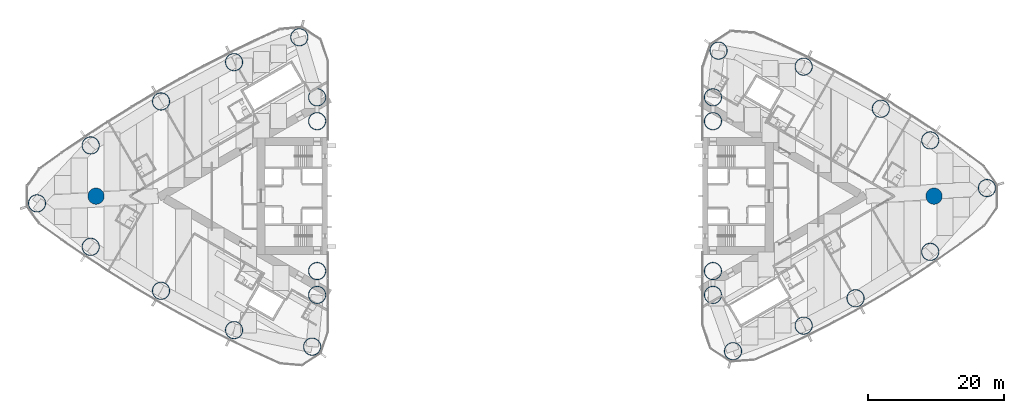
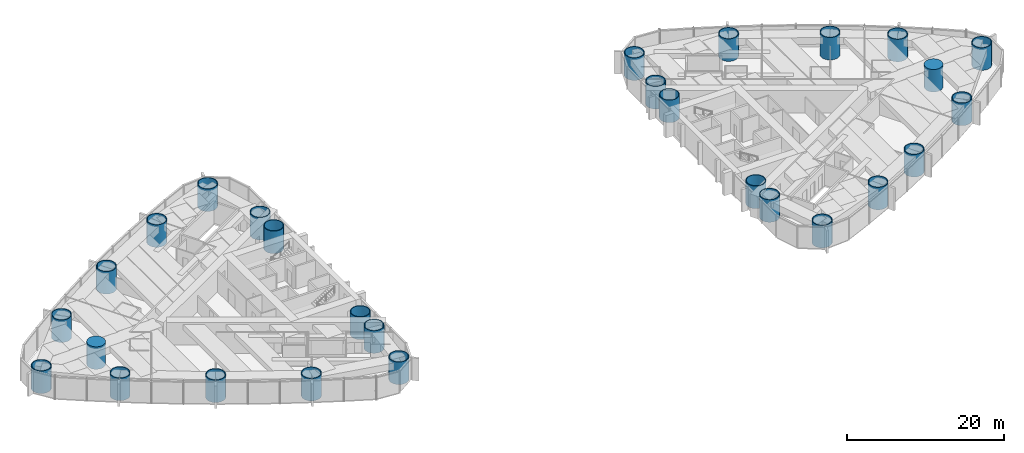
# One storey, part 1 of 19: 28 columns.
"""IFC4 building model written with IfcOpenShell, lengths in metres."""

from ifc_helpers import new_model, si_unit, direction, frame, origin, origin_2d, place, context, subcontext, project, spatial, circle, hollow_circle, extrude, material, material_profile, profile_set, type_object, element, save


model = new_model("IFC4")

# Units and contexts
model_context = context("Model", 3, precision=1e-05, world=origin(), true_north=direction((0.0, 1.0)))
body_context = subcontext(model_context, "Body", "Model", "MODEL_VIEW")
ifc_project = project(units=[si_unit("LENGTHUNIT", "METRE"), si_unit("AREAUNIT", "SQUARE_METRE"), si_unit("VOLUMEUNIT", "CUBIC_METRE"), si_unit("PLANEANGLEUNIT", "RADIAN"), si_unit("MASSUNIT", "GRAM", prefix="KILO")], contexts=[model_context])

# Site, building, storey
site_placement = place(None, origin())
site = spatial("IfcSite", under=ifc_project, at=site_placement, CompositionType="ELEMENT")
building_placement = place(site_placement, origin())
building = spatial("IfcBuilding", under=site, at=building_placement, Name="Lancet Gate Hotel", CompositionType="ELEMENT")
storey_placement = place(building_placement, frame((0.0, 0.0, 132.60009765625)))
storey = spatial("IfcBuildingStorey", under=building, at=storey_placement, Name="L35", CompositionType="ELEMENT", Elevation=132.60009765625)

# Columns
ifc_material_1 = material(Name="Concrete C80/95", Category="concrete")
ifc_material_profile_1 = material_profile(ifc_material_1, circle(Radius=1.199951171875, at=origin_2d()), Name="RC D2400")
ifc_profile_set_1 = profile_set([ifc_material_profile_1], Name="Concrete C80/95")
column_type_1 = type_object("IfcColumnType", Name="Apex column RC D2400", PredefinedType="COLUMN", material=ifc_profile_set_1)
for number, where, z_axis, x_axis, name in (
    (1, (-61.5, 0.0, 0.0), (0.0, 0.0, 1.0), (1.0, 0.0, 0.0), "T1 column AX L35"),
    (2, (61.5, 0.0, 0.0), (0.0, 0.0, 1.0), (1.0, 0.0, 0.0), "T2 column AX L35"),
):
    element("IfcColumn", number, at=place(storey_placement, frame(where, z_axis=z_axis, x_axis=x_axis)), inside=storey, type_object=column_type_1, Name=name, PredefinedType="COLUMN", context=body_context, shape_type="SweptSolid", body=[
        extrude(circle(Radius=1.199951171875, at=origin_2d()), origin(), (0.0, 0.0, 1.0), 3.5),
    ])
ifc_material_2 = material(Name="Composite filled tube, grade 460 plate, grade 80/95 fill", Category="composite")
ifc_material_profile_2 = material_profile(ifc_material_2, hollow_circle(Radius=1.300048828125, WallThickness=0.10009765625, at=origin_2d()), Name="CHS 2600x100")
ifc_profile_set_2 = profile_set([ifc_material_profile_2], Name="Composite filled tube, grade 460 plate, grade 80/95 fill")
column_type_2 = type_object("IfcColumnType", Name="Apex corner column CFT CHS 2600x100", PredefinedType="COLUMN", material=ifc_profile_set_2)
for number, where, z_axis, x_axis, name in (
    (3, (-70.16796875, -1.06005859375, 0.0), (0.0, 0.0, 1.0), (1.0, 0.0, 0.0), "T1 column CA L35"),
    (4, (69.268798828125, 1.1865234375, 0.0), (0.0, 0.0, 1.0), (1.0, 0.0, 0.0), "T2 column CA L35"),
):
    element("IfcColumn", number, at=place(storey_placement, frame(where, z_axis=z_axis, x_axis=x_axis)), inside=storey, type_object=column_type_2, Name=name, PredefinedType="COLUMN", context=body_context, shape_type="SweptSolid", body=[
        extrude(hollow_circle(Radius=1.300048828125, WallThickness=0.10009765625, at=origin_2d()), origin(), (0.0, 0.0, 1.0), 3.5),
    ])
ifc_material_3 = material(Name="Composite filled tube, grade 460 plate, grade 80/95 fill", Category="composite")
ifc_material_profile_3 = material_profile(ifc_material_3, hollow_circle(Radius=1.300048828125, WallThickness=0.10009765625, at=origin_2d()), Name="CHS 2600x100")
ifc_profile_set_3 = profile_set([ifc_material_profile_3], Name="Composite filled tube, grade 460 plate, grade 80/95 fill")
column_type_3 = type_object("IfcColumnType", Name="Perimeter column CFT CHS 2600x100", PredefinedType="COLUMN", material=ifc_profile_set_3)
for number, where, z_axis, x_axis, name in (
    (5, (-29.781005859375, -22.0947265625, 0.0), (0.0, 0.0, 1.0), (1.0, 0.0, 0.0), "T1 column CN L35"),
    (6, (-31.66455078125, 23.318359375, 0.0), (0.0, 0.0, 1.0), (1.0, 0.0, 0.0), "T1 column CS L35"),
    (7, (-29.050048828125, -11.0, 0.0), (0.0, 0.0, 1.0), (1.0, 0.0, 0.0), "T1 column IN L35"),
    (8, (-29.050048828125, 11.0, 0.0), (0.0, 0.0, 1.0), (1.0, 0.0, 0.0), "T1 column IS L35"),
    (9, (-29.050048828125, 14.5, 0.0), (0.0, 0.0, 1.0), (1.0, 0.0, 0.0), "T1 column IT L35"),
    (10, (-29.050048828125, -14.5, 0.0), (0.0, 0.0, 1.0), (1.0, 0.0, 0.0), "T1 column JT L35"),
    (11, (-62.28662109375, -7.444580078125, 0.0), (0.0, 0.0, 1.0), (1.0, 0.0, 0.0), "T1 column ON1 L35"),
    (12, (-51.963134765625, -13.89501953125, 0.0), (0.0, 0.0, 1.0), (1.0, 0.0, 0.0), "T1 column ON2 L35"),
    (13, (-41.244873046875, -19.665771484375, 0.0), (0.0, 0.0, 1.0), (1.0, 0.0, 0.0), "T1 column ON3 L35"),
    (14, (-41.244873046875, 19.665771484375, 0.0), (0.0, 0.0, 1.0), (1.0, 0.0, 0.0), "T1 column OS1 L35"),
    (15, (-51.963134765625, 13.89501953125, 0.0), (0.0, 0.0, 1.0), (1.0, 0.0, 0.0), "T1 column OS2 L35"),
    (16, (-62.28662109375, 7.444580078125, 0.0), (0.0, 0.0, 1.0), (1.0, 0.0, 0.0), "T1 column OS3 L35"),
    (17, (29.8720703125, 21.35498046875, 0.0), (0.0, 0.0, 1.0), (1.0, 0.0, 0.0), "T2 column CN L35"),
    (18, (31.99609375, -22.76318359375, 0.0), (0.0, 0.0, 1.0), (1.0, 0.0, 0.0), "T2 column CS L35"),
    (19, (29.050048828125, 11.0, 0.0), (0.0, 0.0, 1.0), (1.0, 0.0, 0.0), "T2 column IN L35"),
    (20, (29.050048828125, -11.0, 0.0), (0.0, 0.0, 1.0), (1.0, 0.0, 0.0), "T2 column IS L35"),
    (21, (29.050048828125, -14.5, 0.0), (0.0, 0.0, 1.0), (1.0, 0.0, 0.0), "T2 column IT L35"),
    (22, (29.050048828125, 14.5, 0.0), (0.0, 0.0, 1.0), (1.0, 0.0, 0.0), "T2 column JT L35"),
    (23, (60.940673828125, 8.18115234375, 0.0), (0.0, 0.0, 1.0), (1.0, 0.0, 0.0), "T2 column ON1 L35"),
    (24, (53.697021484375, 12.827392578125, 0.0), (0.0, 0.0, 1.0), (1.0, 0.0, 0.0), "T2 column ON2 L35"),
    (25, (42.3662109375, 19.007080078125, 0.0), (0.0, 0.0, 1.0), (1.0, 0.0, 0.0), "T2 column ON3 L35"),
    (26, (42.3662109375, -19.007080078125, 0.0), (0.0, 0.0, 1.0), (1.0, 0.0, 0.0), "T2 column OS1 L35"),
    (27, (49.97900390625, -14.994384765625, 0.0), (0.0, 0.0, 1.0), (1.0, 0.0, 0.0), "T2 column OS2 L35"),
    (28, (60.940673828125, -8.18115234375, 0.0), (0.0, 0.0, 1.0), (1.0, 0.0, 0.0), "T2 column OS3 L35"),
):
    element("IfcColumn", number, at=place(storey_placement, frame(where, z_axis=z_axis, x_axis=x_axis)), inside=storey, type_object=column_type_3, Name=name, PredefinedType="COLUMN", context=body_context, shape_type="SweptSolid", body=[
        extrude(hollow_circle(Radius=1.300048828125, WallThickness=0.10009765625, at=origin_2d()), origin(), (0.0, 0.0, 1.0), 3.5),
    ])

save(model, "model.ifc")
